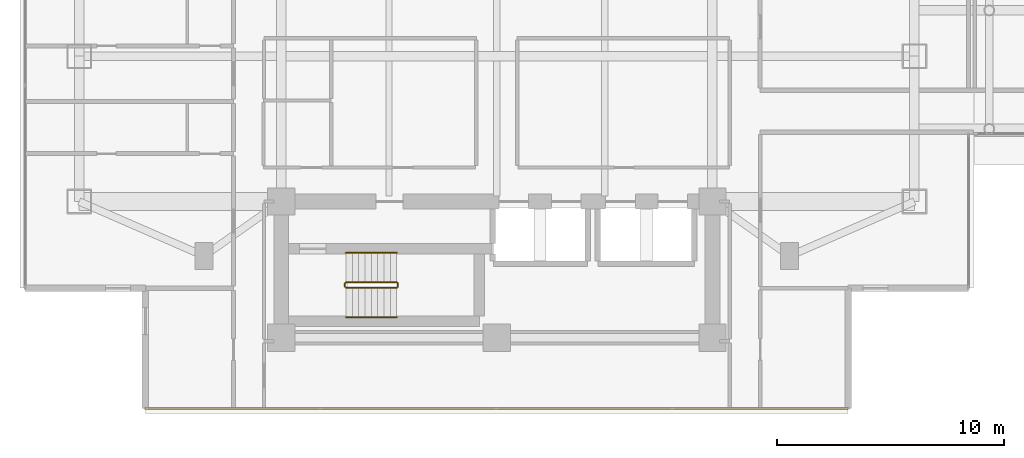
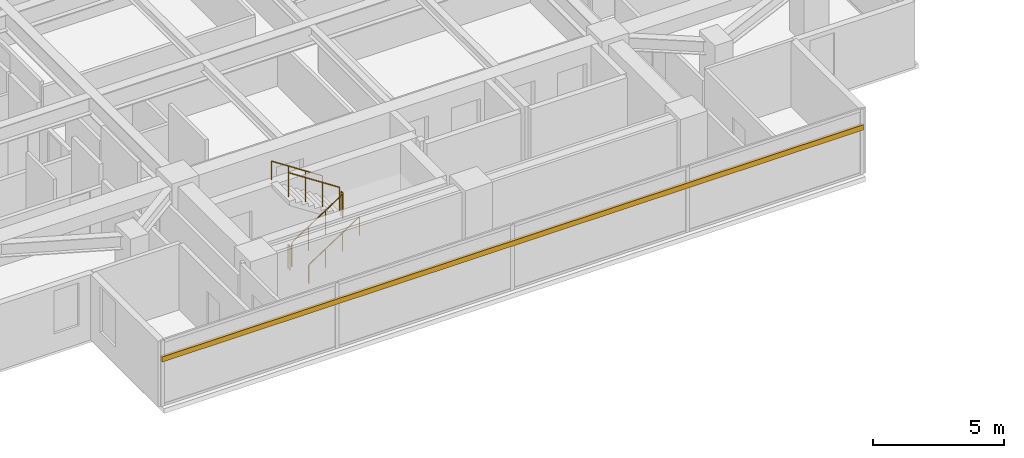
# One storey, part 22 of 27: 6 railings, 1 shading device.
"""IFC4 building model written with IfcOpenShell, lengths in metres."""

from ifc_helpers import new_model, si_unit, direction, frame, origin, origin_2d, place, context, subcontext, project, spatial, rectangle, circle, extrude, material, material_profile, profile_set, type_object, element, save


model = new_model("IFC4")

# Units and contexts
model_context = context("Model", 3, precision=1e-05, world=origin(), true_north=direction((0.0, 1.0)))
body_context = subcontext(model_context, "Body", "Model", "MODEL_VIEW")
ifc_project = project(units=[si_unit("LENGTHUNIT", "METRE"), si_unit("AREAUNIT", "SQUARE_METRE"), si_unit("VOLUMEUNIT", "CUBIC_METRE"), si_unit("PLANEANGLEUNIT", "RADIAN"), si_unit("MASSUNIT", "GRAM", prefix="KILO")], contexts=[model_context])

# Site, building, storey
site_placement = place(None, origin())
site = spatial("IfcSite", under=ifc_project, at=site_placement, CompositionType="ELEMENT")
building_placement = place(site_placement, origin())
building = spatial("IfcBuilding", under=site, at=building_placement, Name="Mirazonda Arch Towers", CompositionType="ELEMENT")
storey_placement = place(building_placement, frame((0.0, 0.0, 95.0)))
storey = spatial("IfcBuildingStorey", under=building, at=storey_placement, Name="L26", CompositionType="ELEMENT", Elevation=95.0)

# Shading device
ifc_material_1 = material(Name="Kiln-Fired Architectural Terracotta", Category="masonry")
ifc_material_profile = material_profile(ifc_material_1, rectangle(XDim=0.1201171875, YDim=0.239990234375, at=origin_2d()), Name="TERRA-BAG-120x240")
ifc_profile_set = profile_set([ifc_material_profile], Name="Kiln-Fired Architectural Terracotta")
shading_device_type = type_object("IfcShadingDeviceType", Name="BAGUETTE-1", PredefinedType="USERDEFINED", material=ifc_profile_set)
shading_device_placement = place(storey_placement, frame((35.985107421875, 9.27392578125, 2.203125), z_axis=(-1.0, 0.0, 0.0), x_axis=(0.0, -1.0, 0.0)))
element("IfcShadingDevice", 1, at=shading_device_placement, inside=storey, type_object=shading_device_type, Name="L26 Glazed Terracotta Sun-Screen Baguette CW-L26-T1-S", ObjectType="BAGUETTE", PredefinedType="USERDEFINED", context=body_context, shape_type="SweptSolid", body=[
    extrude(rectangle(XDim=0.1201171875, YDim=0.239990234375, at=origin_2d()), origin(), (0.0, 0.0, 1.0), 30.97021484375),
])

# Railings
ifc_material_2 = material(Name="Architectural Brushed Steel S355", Category="steel")
railing_type_1 = type_object("IfcRailingType", Name="GUARD-STAIR-1120", PredefinedType="GUARDRAIL", material=ifc_material_2)
railing_1_placement = place(storey_placement, frame((13.85009765625, 14.60009765625, 0.183349609375)))
element("IfcRailing", 2, at=railing_1_placement, inside=storey, type_object=railing_type_1, Name="L26 ST-T1S stair guard 1", PredefinedType="GUARDRAIL", context=body_context, shape_type="SweptSolid", body=[
    extrude(circle(Radius=0.02392578125, at=origin_2d()), frame((0.0, 0.0, 1.1259765625), z_axis=(0.836636935527, 0.0, 0.547757827979), x_axis=(0.0, 1.0, 0.0)), (0.0, 0.0, 1.0), 2.677490234375),
    extrude(circle(Radius=0.02099609375, at=origin_2d()), origin(), (0.0, 0.0, 1.0), 1.101806640625),
    extrude(circle(Radius=0.02099609375, at=origin_2d()), frame((0.74658203125, 0.0, 0.48876953125)), (0.0, 0.0, 1.0), 1.101806640625),
    extrude(circle(Radius=0.02099609375, at=origin_2d()), frame((1.493408203125, 0.0, 0.977783203125)), (0.0, 0.0, 1.0), 1.101806640625),
    extrude(circle(Radius=0.02099609375, at=origin_2d()), frame((2.239990234375, 0.0, 1.466552734375)), (0.0, 0.0, 1.0), 1.101806640625),
])
railing_2_placement = place(storey_placement, frame((16.139892578125, 14.64990234375, 1.64990234375)))
element("IfcRailing", 3, at=railing_2_placement, inside=storey, type_object=railing_type_1, Name="L26 ST-T1S stair guard 2", PredefinedType="GUARDRAIL", context=body_context, shape_type="SweptSolid", body=[
    extrude(circle(Radius=0.02392578125, at=origin_2d()), frame((0.0, 0.0, 1.1259765625), z_axis=(0.0, 1.0, 0.0), x_axis=(-1.0, 0.0, 0.0)), (0.0, 0.0, 1.0), 0.14013671875),
    extrude(circle(Radius=0.02099609375, at=origin_2d()), origin(), (0.0, 0.0, 1.0), 1.101806640625),
    extrude(circle(Radius=0.02099609375, at=origin_2d()), frame((0.0, 0.14013671875, 0.0)), (0.0, 0.0, 1.0), 1.101806640625),
])
railing_3_placement = place(storey_placement, frame((16.090087890625, 14.840087890625, 1.833251953125)))
element("IfcRailing", 4, at=railing_3_placement, inside=storey, type_object=railing_type_1, Name="L26 ST-T1S stair guard 3", PredefinedType="GUARDRAIL", context=body_context, shape_type="SweptSolid", body=[
    extrude(circle(Radius=0.02392578125, at=origin_2d()), frame((0.0, 0.0, 1.1259765625), z_axis=(-0.836595146698, 0.0, 0.547821650285), x_axis=(0.0, -1.0, 0.0)), (0.0, 0.0, 1.0), 2.677490234375),
    extrude(circle(Radius=0.02099609375, at=origin_2d()), origin(), (0.0, 0.0, 1.0), 1.101806640625),
    extrude(circle(Radius=0.02099609375, at=origin_2d()), frame((-0.74658203125, 0.0, 0.489013671875)), (0.0, 0.0, 1.0), 1.101806640625),
    extrude(circle(Radius=0.02099609375, at=origin_2d()), frame((-1.493408203125, 0.0, 0.977783203125)), (0.0, 0.0, 1.0), 1.101806640625),
    extrude(circle(Radius=0.02099609375, at=origin_2d()), frame((-2.239990234375, 0.0, 1.466796875)), (0.0, 0.0, 1.0), 1.101806640625),
])
railing_4_placement = place(storey_placement, frame((13.800048828125, 14.64990234375, 0.0)))
element("IfcRailing", 5, at=railing_4_placement, inside=storey, type_object=railing_type_1, Name="L26 ST-T1S stair guard 4", PredefinedType="GUARDRAIL", context=body_context, shape_type="SweptSolid", body=[
    extrude(circle(Radius=0.02392578125, at=origin_2d()), frame((0.0, 0.0, 1.1259765625), z_axis=(0.0, 1.0, 0.0), x_axis=(-1.0, 0.0, 0.0)), (0.0, 0.0, 1.0), 0.14013671875),
    extrude(circle(Radius=0.02099609375, at=origin_2d()), origin(), (0.0, 0.0, 1.0), 1.101806640625),
    extrude(circle(Radius=0.02099609375, at=origin_2d()), frame((0.0, 0.14013671875, 0.0)), (0.0, 0.0, 1.0), 1.101806640625),
])
railing_type_2 = type_object("IfcRailingType", Name="HANDRAIL-915", PredefinedType="HANDRAIL", material=ifc_material_2)
railing_5_placement = place(storey_placement, frame((13.85009765625, 13.300048828125, 0.183349609375)))
element("IfcRailing", 6, at=railing_5_placement, inside=storey, type_object=railing_type_2, Name="L26 ST-T1S stair handrail 1", PredefinedType="HANDRAIL", context=body_context, shape_type="SweptSolid", body=[
    extrude(circle(Radius=0.02392578125, at=origin_2d()), frame((0.0, 0.0, 0.8759765625), z_axis=(0.836636935527, 0.0, 0.547757827979), x_axis=(0.0, 1.0, 0.0)), (0.0, 0.0, 1.0), 2.677490234375),
    extrude(circle(Radius=0.02099609375, at=origin_2d()), origin(), (0.0, 0.0, 1.0), 0.851806640625),
    extrude(circle(Radius=0.02099609375, at=origin_2d()), frame((0.74658203125, 0.0, 0.48876953125)), (0.0, 0.0, 1.0), 0.851806640625),
    extrude(circle(Radius=0.02099609375, at=origin_2d()), frame((1.493408203125, 0.0, 0.977783203125)), (0.0, 0.0, 1.0), 0.851806640625),
    extrude(circle(Radius=0.02099609375, at=origin_2d()), frame((2.239990234375, 0.0, 1.466552734375)), (0.0, 0.0, 1.0), 0.851806640625),
])
railing_6_placement = place(storey_placement, frame((16.090087890625, 16.139892578125, 1.833251953125)))
element("IfcRailing", 7, at=railing_6_placement, inside=storey, type_object=railing_type_2, Name="L26 ST-T1S stair handrail 2", PredefinedType="HANDRAIL", context=body_context, shape_type="SweptSolid", body=[
    extrude(circle(Radius=0.02392578125, at=origin_2d()), frame((0.0, 0.0, 0.8759765625), z_axis=(-0.836595146698, 0.0, 0.547821650285), x_axis=(0.0, -1.0, 0.0)), (0.0, 0.0, 1.0), 2.677490234375),
    extrude(circle(Radius=0.02099609375, at=origin_2d()), origin(), (0.0, 0.0, 1.0), 0.851806640625),
    extrude(circle(Radius=0.02099609375, at=origin_2d()), frame((-0.74658203125, 0.0, 0.489013671875)), (0.0, 0.0, 1.0), 0.851806640625),
    extrude(circle(Radius=0.02099609375, at=origin_2d()), frame((-1.493408203125, 0.0, 0.977783203125)), (0.0, 0.0, 1.0), 0.851806640625),
    extrude(circle(Radius=0.02099609375, at=origin_2d()), frame((-2.239990234375, 0.0, 1.466796875)), (0.0, 0.0, 1.0), 0.851806640625),
])

save(model, "model.ifc")
